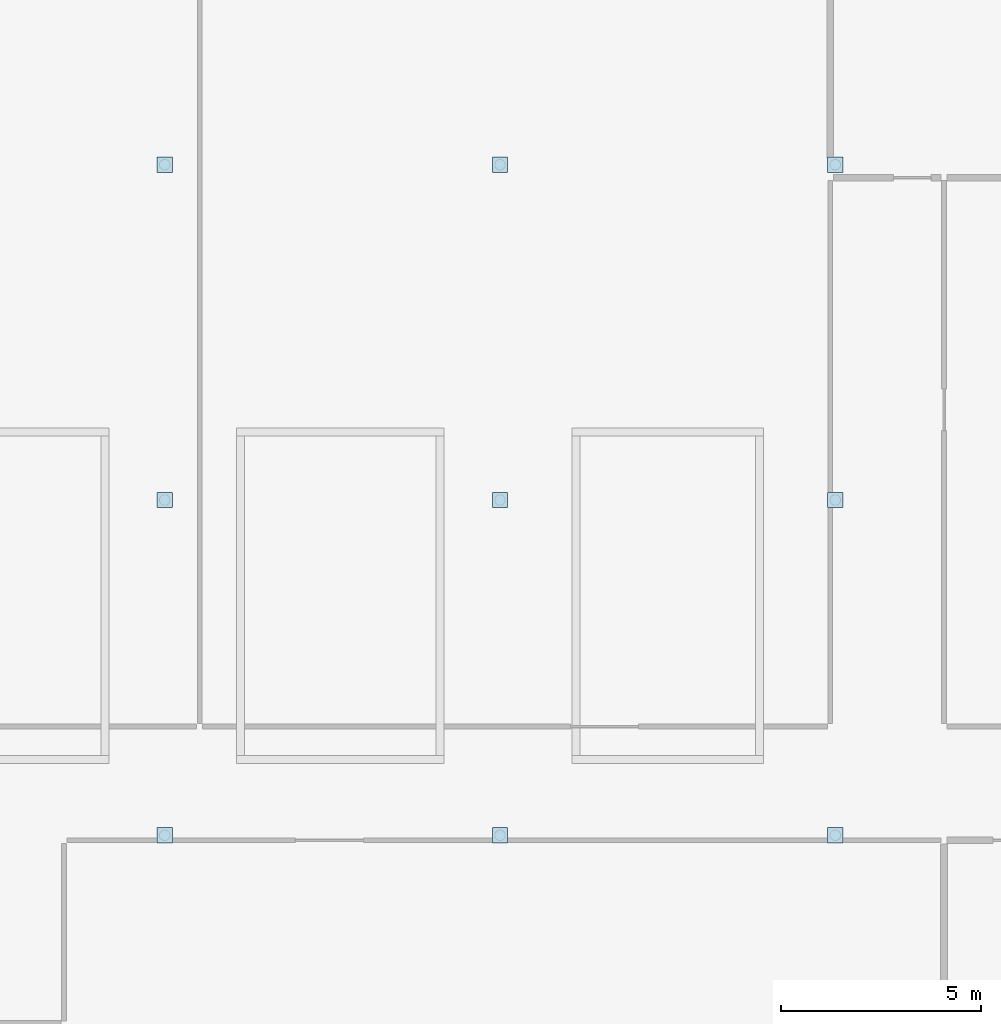
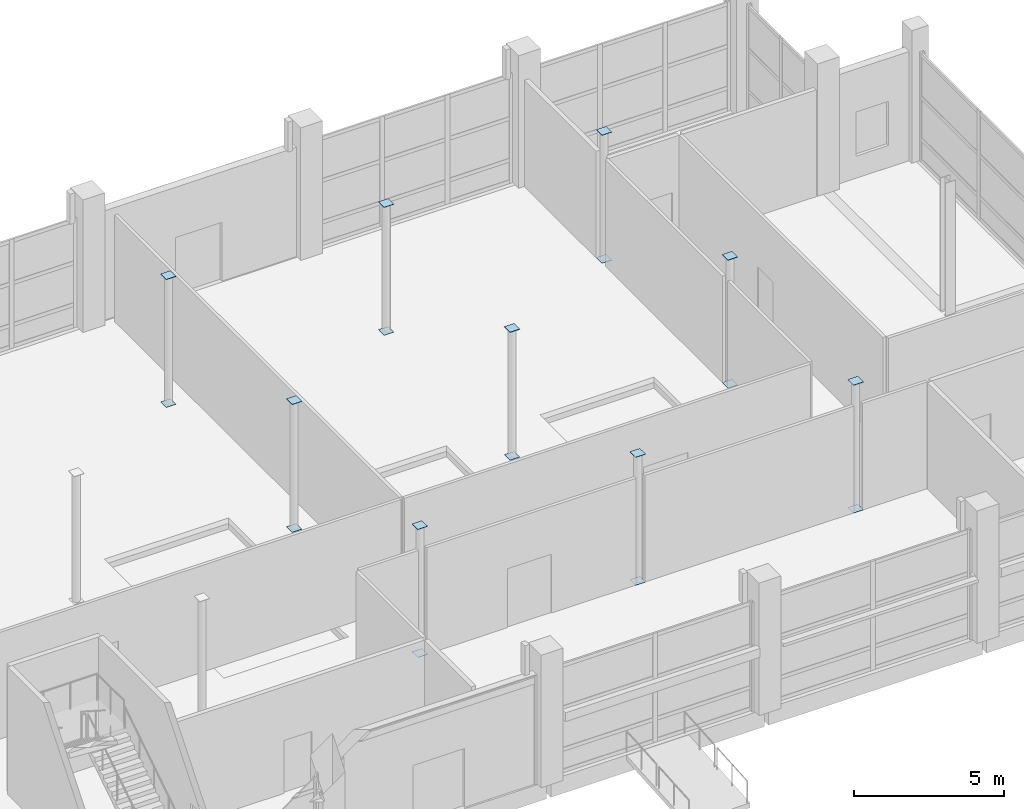
# One storey, part 56 of 140: 18 plates.
"""IFC4 building model written with IfcOpenShell, lengths in metres."""

from ifc_helpers import new_model, si_unit, direction, frame, origin, origin_2d, place, context, subcontext, project, spatial, rectangle, extrude, material, layer, layer_set, type_object, element, save


model = new_model("IFC4")

# Units and contexts
model_context = context("Model", 3, precision=1e-05, world=origin(), true_north=direction((0.0, 1.0)))
body_context = subcontext(model_context, "Body", "Model", "MODEL_VIEW")
ifc_project = project(units=[si_unit("LENGTHUNIT", "METRE"), si_unit("AREAUNIT", "SQUARE_METRE"), si_unit("VOLUMEUNIT", "CUBIC_METRE"), si_unit("PLANEANGLEUNIT", "RADIAN"), si_unit("MASSUNIT", "GRAM", prefix="KILO")], contexts=[model_context])

# Site, building, storey
site_placement = place(None, origin())
site = spatial("IfcSite", under=ifc_project, at=site_placement, CompositionType="ELEMENT")
building_placement = place(site_placement, origin())
building = spatial("IfcBuilding", under=site, at=building_placement, Name="Telukmera Botanical Conservatory", CompositionType="ELEMENT")
storey_placement = place(building_placement, origin())
storey = spatial("IfcBuildingStorey", under=building, at=storey_placement, Name="L00", CompositionType="ELEMENT", Elevation=0.0)

# Plates
ifc_material = material(Name="Steel S355", Category="steel")
ifc_layer = layer(ifc_material, 0.01611328125)
ifc_layer_set = layer_set([ifc_layer], Name="Steel S355")
plate_type = type_object("IfcPlateType", Name="Plate_CP1", PredefinedType="USERDEFINED", material=ifc_layer_set)
for number, where, z_axis, x_axis, name in (
    (1, (142.800048828125, 26.0, -0.01611328125), (0.0, 0.0, 1.0), (1.0, 0.0, 0.0), "CP1 Column End Cap Plate V1-L00"),
    (2, (142.800048828125, 26.0, 5.199951171875), (0.0, 0.0, 1.0), (1.0, 0.0, 0.0), "CP1 Column End Cap Plate V1-L00"),
    (3, (142.800048828125, 34.39990234375, -0.01611328125), (0.0, 0.0, 1.0), (1.0, 0.0, 0.0), "CP1 Column End Cap Plate V1-L00"),
    (4, (142.800048828125, 34.39990234375, 5.199951171875), (0.0, 0.0, 1.0), (1.0, 0.0, 0.0), "CP1 Column End Cap Plate V1-L00"),
    (5, (142.800048828125, 42.800048828125, -0.01611328125), (0.0, 0.0, 1.0), (1.0, 0.0, 0.0), "CP1 Column End Cap Plate V1-L00"),
    (6, (142.800048828125, 42.800048828125, 5.199951171875), (0.0, 0.0, 1.0), (1.0, 0.0, 0.0), "CP1 Column End Cap Plate V1-L00"),
    (7, (151.199951171875, 26.0, -0.01611328125), (0.0, 0.0, 1.0), (1.0, 0.0, 0.0), "CP1 Column End Cap Plate V1-L00"),
    (8, (151.199951171875, 26.0, 5.199951171875), (0.0, 0.0, 1.0), (1.0, 0.0, 0.0), "CP1 Column End Cap Plate V1-L00"),
    (9, (151.199951171875, 34.39990234375, -0.01611328125), (0.0, 0.0, 1.0), (1.0, 0.0, 0.0), "CP1 Column End Cap Plate V1-L00"),
    (10, (151.199951171875, 34.39990234375, 5.199951171875), (0.0, 0.0, 1.0), (1.0, 0.0, 0.0), "CP1 Column End Cap Plate V1-L00"),
    (11, (151.199951171875, 42.800048828125, -0.01611328125), (0.0, 0.0, 1.0), (1.0, 0.0, 0.0), "CP1 Column End Cap Plate V1-L00"),
    (12, (151.199951171875, 42.800048828125, 5.199951171875), (0.0, 0.0, 1.0), (1.0, 0.0, 0.0), "CP1 Column End Cap Plate V1-L00"),
    (13, (159.60009765625, 26.0, -0.01611328125), (0.0, 0.0, 1.0), (1.0, 0.0, 0.0), "CP1 Column End Cap Plate V1-L00"),
    (14, (159.60009765625, 26.0, 5.199951171875), (0.0, 0.0, 1.0), (1.0, 0.0, 0.0), "CP1 Column End Cap Plate V1-L00"),
    (15, (159.60009765625, 34.39990234375, -0.01611328125), (0.0, 0.0, 1.0), (1.0, 0.0, 0.0), "CP1 Column End Cap Plate V1-L00"),
    (16, (159.60009765625, 34.39990234375, 5.199951171875), (0.0, 0.0, 1.0), (1.0, 0.0, 0.0), "CP1 Column End Cap Plate V1-L00"),
    (17, (159.60009765625, 42.800048828125, -0.01611328125), (0.0, 0.0, 1.0), (1.0, 0.0, 0.0), "CP1 Column End Cap Plate V1-L00"),
    (18, (159.60009765625, 42.800048828125, 5.199951171875), (0.0, 0.0, 1.0), (1.0, 0.0, 0.0), "CP1 Column End Cap Plate V1-L00"),
):
    element("IfcPlate", number, at=place(storey_placement, frame(where, z_axis=z_axis, x_axis=x_axis)), inside=storey, type_object=plate_type, Name=name, ObjectType="CAP_PLATE", PredefinedType="USERDEFINED", context=body_context, shape_type="SweptSolid", body=[
        extrude(rectangle(XDim=0.3798828125, YDim=0.3798828125, at=origin_2d()), origin(), (0.0, 0.0, 1.0), 0.01611328125),
    ])

save(model, "model.ifc")
